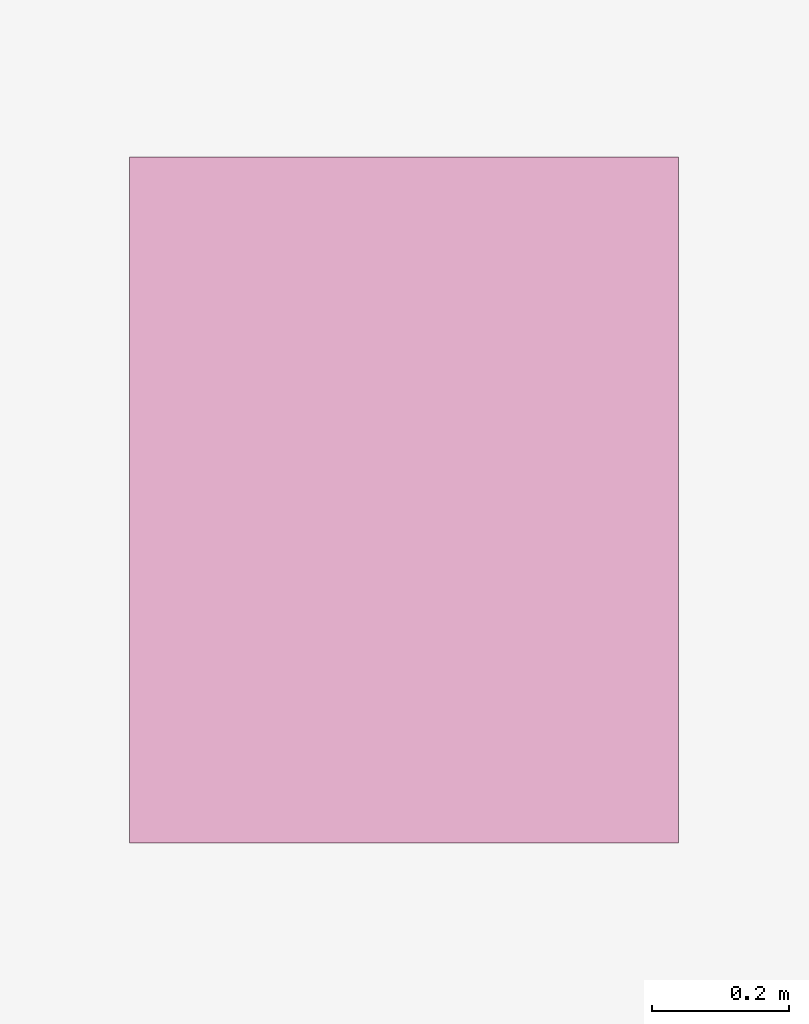
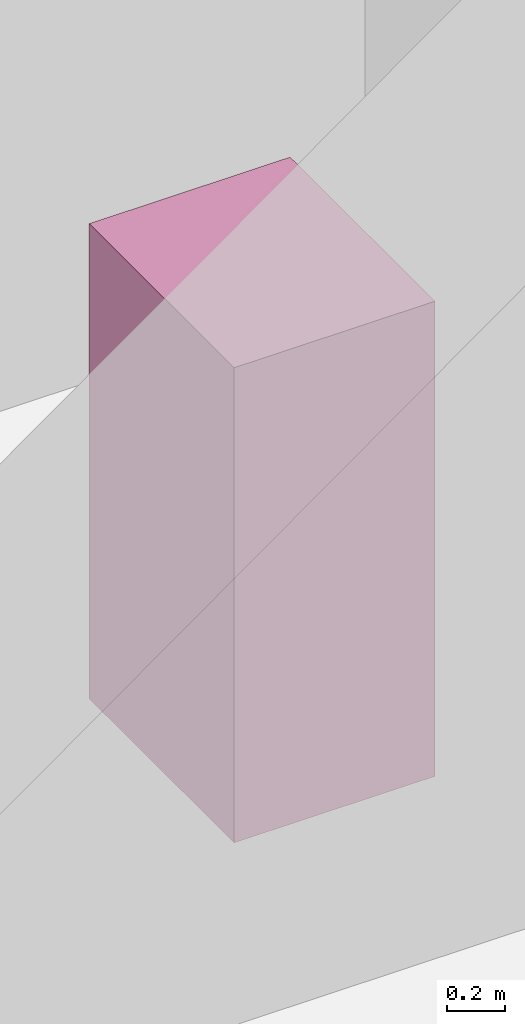
# One storey, part 16 of 16: 1 furniture element.
"""IFC4 building model written with IfcOpenShell, lengths in metres."""

from ifc_helpers import new_model, si_unit, direction, frame, origin, origin_2d, place, context, subcontext, project, spatial, rectangle, extrude, element, save


model = new_model("IFC4")

# Units and contexts
model_context = context("Model", 3, precision=1e-05, world=origin(), true_north=direction((0.0, 1.0)))
body_context = subcontext(model_context, "Body", "Model", "MODEL_VIEW")
ifc_project = project(units=[si_unit("LENGTHUNIT", "METRE"), si_unit("AREAUNIT", "SQUARE_METRE"), si_unit("VOLUMEUNIT", "CUBIC_METRE"), si_unit("PLANEANGLEUNIT", "RADIAN"), si_unit("MASSUNIT", "GRAM", prefix="KILO")], contexts=[model_context])

# Site, building, storey
site_placement = place(None, origin())
site = spatial("IfcSite", under=ifc_project, at=site_placement, CompositionType="ELEMENT")
building_placement = place(site_placement, origin())
building = spatial("IfcBuilding", under=site, at=building_placement, Name="Loomwork Tower", CompositionType="ELEMENT")
storey_placement = place(building_placement, frame((0.0, 0.0, 23.0)))
storey = spatial("IfcBuildingStorey", under=building, at=storey_placement, Name="L04", CompositionType="ELEMENT", Elevation=23.0)

# Furniture
furniture_placement = place(storey_placement, frame((16.199951171875, 12.25, 0.0), z_axis=(0.0, 0.0, 1.0), x_axis=(1.0, 0.0, 0.0)))
element("IfcFurniture", 1, at=furniture_placement, inside=storey, Name="Data cabinet L04", ObjectType="DATA CABINET", PredefinedType="USERDEFINED", context=body_context, shape_type="SweptSolid", body=[
    extrude(rectangle(XDim=0.800048828125, YDim=1.0, at=origin_2d()), origin(), (0.0, 0.0, 1.0), 2.0),
])

save(model, "model.ifc")
